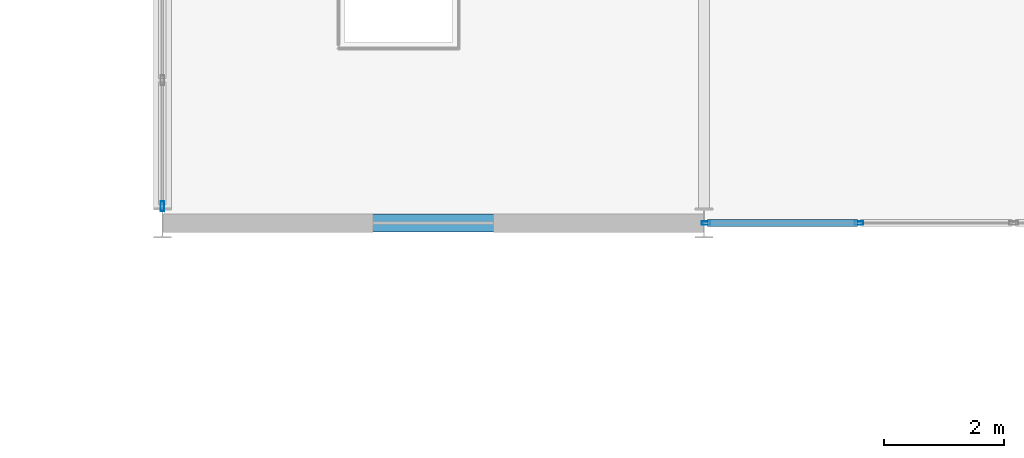
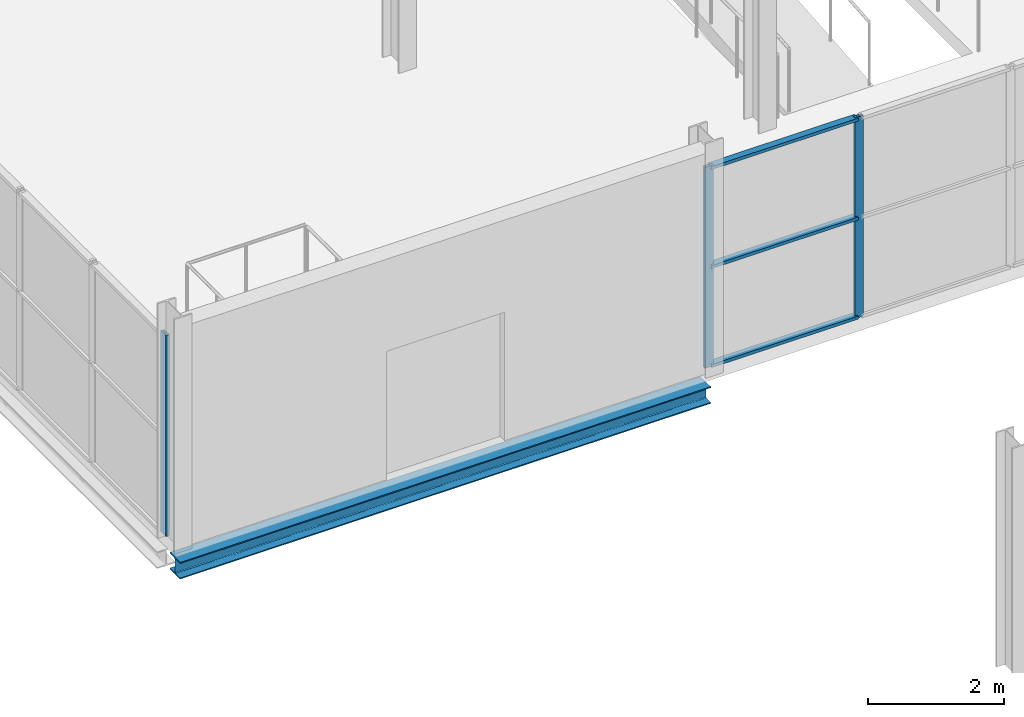
# One storey, part 58 of 140: 6 members, 1 beam, 2 elements without a shape of their own.
"""IFC4 building model written with IfcOpenShell, lengths in metres."""

from ifc_helpers import new_model, si_unit, direction, frame, origin, origin_2d, place, context, subcontext, project, spatial, hollow_rectangle, i_section, extrude, material, layer, layer_set, material_profile, profile_set, type_object, element, aggregate, save


model = new_model("IFC4")

# Units and contexts
model_context = context("Model", 3, precision=1e-05, world=origin(), true_north=direction((0.0, 1.0)))
body_context = subcontext(model_context, "Body", "Model", "MODEL_VIEW")
ifc_project = project(units=[si_unit("LENGTHUNIT", "METRE"), si_unit("AREAUNIT", "SQUARE_METRE"), si_unit("VOLUMEUNIT", "CUBIC_METRE"), si_unit("PLANEANGLEUNIT", "RADIAN"), si_unit("MASSUNIT", "GRAM", prefix="KILO")], contexts=[model_context])

# Site, building, storey
site_placement = place(None, origin())
site = spatial("IfcSite", under=ifc_project, at=site_placement, CompositionType="ELEMENT")
building_placement = place(site_placement, origin())
building = spatial("IfcBuilding", under=site, at=building_placement, Name="Deido Ridge Mobility Hub", CompositionType="ELEMENT")
storey_placement = place(building_placement, origin())
storey = spatial("IfcBuildingStorey", under=building, at=storey_placement, Name="L00", CompositionType="ELEMENT", Elevation=0.0)

# Curtain wall, members
ifc_material_1 = material(Name="Anodised aluminium EN AW-6063 T6", Category="aluminium")
ifc_layer_1 = layer(ifc_material_1, 0.14404296875, Name="Anodised aluminium EN AW-6063 T6")
ifc_layer_set_1 = layer_set([ifc_layer_1], Name="Anodised aluminium EN AW-6063 T6")
curtain_wall_type_1 = type_object("IfcCurtainWallType", Name="CW-GS-2", PredefinedType="USERDEFINED", material=ifc_layer_set_1)
curtain_wall_1_placement = place(storey_placement, origin())
curtain_wall_1 = element("IfcCurtainWall", 1, at=curtain_wall_1_placement, inside=storey, type_object=curtain_wall_type_1, Name="Unitised curtain wall GS2", ObjectType="GLAZED SCREEN", PredefinedType="USERDEFINED")
ifc_material_profile_1 = material_profile(ifc_material_1, hollow_rectangle(XDim=0.054931640625, YDim=0.14501953125, WallThickness=0.00390625, at=origin_2d()), Name="RHS 55x145x4")
ifc_profile_set_1 = profile_set([ifc_material_profile_1], Name="Anodised aluminium EN AW-6063 T6")
member_type_1 = type_object("IfcMemberType", Name="MEM-MUL-55X145", PredefinedType="MULLION", material=ifc_profile_set_1)
member_1_placement = place(storey_placement, frame((81.03466796875, 45.0, 0.0), z_axis=(0.0, 0.0, 1.0), x_axis=(0.0, 1.0, 0.0)))
member_1 = element("IfcMember", 2, at=member_1_placement, type_object=member_type_1, Name="GS2 mullion 1", PredefinedType="MULLION", context=body_context, shape_type="SweptSolid", body=[
    extrude(hollow_rectangle(XDim=0.054931640625, YDim=0.14501953125, WallThickness=0.00390625, at=origin_2d()), origin(), (0.0, 0.0, 1.0), 3.60009765625),
])
member_2_placement = place(storey_placement, frame((83.57666015625, 45.0, 0.0), z_axis=(0.0, 0.0, 1.0), x_axis=(0.0, 1.0, 0.0)))
member_2 = element("IfcMember", 3, at=member_2_placement, type_object=member_type_1, Name="GS2 mullion 2", PredefinedType="MULLION", context=body_context, shape_type="SweptSolid", body=[
    extrude(hollow_rectangle(XDim=0.054931640625, YDim=0.14501953125, WallThickness=0.00390625, at=origin_2d()), origin(), (0.0, 0.0, 1.0), 3.60009765625),
])

# Curtain wall, member
ifc_layer_2 = layer(ifc_material_1, 0.1650390625, Name="Anodised aluminium EN AW-6063 T6")
ifc_layer_set_2 = layer_set([ifc_layer_2], Name="Anodised aluminium EN AW-6063 T6")
curtain_wall_type_2 = type_object("IfcCurtainWallType", Name="CW-UF-1", PredefinedType="USERDEFINED", material=ifc_layer_set_2)
curtain_wall_2_placement = place(storey_placement, origin())
curtain_wall_2 = element("IfcCurtainWall", 4, at=curtain_wall_2_placement, inside=storey, type_object=curtain_wall_type_2, Name="Unitised curtain wall CW1", ObjectType="UNITISED FACADE", PredefinedType="USERDEFINED")
ifc_material_profile_2 = material_profile(ifc_material_1, hollow_rectangle(XDim=0.06005859375, YDim=0.159912109375, WallThickness=0.00390625, at=origin_2d()), Name="RHS 60x160x4")
ifc_profile_set_2 = profile_set([ifc_material_profile_2], Name="Anodised aluminium EN AW-6063 T6")
member_type_2 = type_object("IfcMemberType", Name="MEM-MUL-60X160", PredefinedType="MULLION", material=ifc_profile_set_2)
member_3_placement = place(storey_placement, frame((72.0, 45.280029296875, 0.0), z_axis=(0.0, 0.0, 1.0), x_axis=(-1.0, 0.0, 0.0)))
member_3 = element("IfcMember", 5, at=member_3_placement, type_object=member_type_2, Name="CW1 mullion 1", PredefinedType="MULLION", context=body_context, shape_type="SweptSolid", body=[
    extrude(hollow_rectangle(XDim=0.06005859375, YDim=0.159912109375, WallThickness=0.00390625, at=origin_2d()), origin(), (0.0, 0.0, 1.0), 3.60009765625),
])
aggregate(curtain_wall_2, [member_3])

# Member
ifc_material_profile_3 = material_profile(ifc_material_1, hollow_rectangle(XDim=0.114990234375, YDim=0.054931640625, WallThickness=0.00390625, at=origin_2d()), Name="RHS 115x55x4")
ifc_profile_set_3 = profile_set([ifc_material_profile_3], Name="Anodised aluminium EN AW-6063 T6")
member_type_3 = type_object("IfcMemberType", Name="MEM-TRN-115X55", PredefinedType="USERDEFINED", material=ifc_profile_set_3)
member_4_placement = place(storey_placement, frame((81.062255859375, 45.0, 0.027587890625), z_axis=(1.0, 0.0, 0.0), x_axis=(0.0, 1.0, 0.0)))
member_4 = element("IfcMember", 6, at=member_4_placement, type_object=member_type_3, Name="GS2 transom 1.1", ObjectType="TRANSOM", PredefinedType="USERDEFINED", context=body_context, shape_type="SweptSolid", body=[
    extrude(hollow_rectangle(XDim=0.114990234375, YDim=0.054931640625, WallThickness=0.00390625, at=origin_2d()), origin(), (0.0, 0.0, 1.0), 2.48681640625),
])

member_5_placement = place(storey_placement, frame((81.062255859375, 45.0, 1.800048828125), z_axis=(1.0, 0.0, 0.0), x_axis=(0.0, 1.0, 0.0)))
member_5 = element("IfcMember", 7, at=member_5_placement, type_object=member_type_3, Name="GS2 transom 1.2", ObjectType="TRANSOM", PredefinedType="USERDEFINED", context=body_context, shape_type="SweptSolid", body=[
    extrude(hollow_rectangle(XDim=0.114990234375, YDim=0.054931640625, WallThickness=0.00390625, at=origin_2d()), origin(), (0.0, 0.0, 1.0), 2.48681640625),
])

member_6_placement = place(storey_placement, frame((81.062255859375, 45.0, 3.572509765625), z_axis=(1.0, 0.0, 0.0), x_axis=(0.0, 1.0, 0.0)))
member_6 = element("IfcMember", 8, at=member_6_placement, type_object=member_type_3, Name="GS2 transom 1.3", ObjectType="TRANSOM", PredefinedType="USERDEFINED", context=body_context, shape_type="SweptSolid", body=[
    extrude(hollow_rectangle(XDim=0.114990234375, YDim=0.054931640625, WallThickness=0.00390625, at=origin_2d()), origin(), (0.0, 0.0, 1.0), 2.48681640625),
])

aggregate(curtain_wall_1, [member_1, member_2, member_4, member_5, member_6])

# Beam
ifc_material_2 = material(Name="Steel S355J2 EN 10025-2", Category="steel")
ifc_material_profile_4 = material_profile(ifc_material_2, i_section(OverallWidth=0.300048828125, OverallDepth=0.300048828125, WebThickness=0.010986328125, FlangeThickness=0.01904296875, FilletRadius=0.027099609375, at=origin_2d()), Name="HEB 300")
ifc_profile_set_4 = profile_set([ifc_material_profile_4], Name="Steel S355J2 EN 10025-2")
beam_type = type_object("IfcBeamType", Name="SPD-HEB300", PredefinedType="SPANDREL", material=ifc_profile_set_4)
beam_placement = place(storey_placement, frame((72.007080078125, 45.0, -0.409912109375), z_axis=(1.0, 0.0, 0.0), x_axis=(0.0, 1.0, 0.0)))
element("IfcBeam", 9, at=beam_placement, inside=storey, type_object=beam_type, Name="Floor beam SP1", PredefinedType="SPANDREL", context=body_context, shape_type="SweptSolid", body=[
    extrude(i_section(OverallWidth=0.300048828125, OverallDepth=0.300048828125, WebThickness=0.010986328125, FlangeThickness=0.01904296875, FilletRadius=0.027099609375, at=origin_2d()), origin(), (0.0, 0.0, 1.0), 8.98583984375),
])

save(model, "model.ifc")
